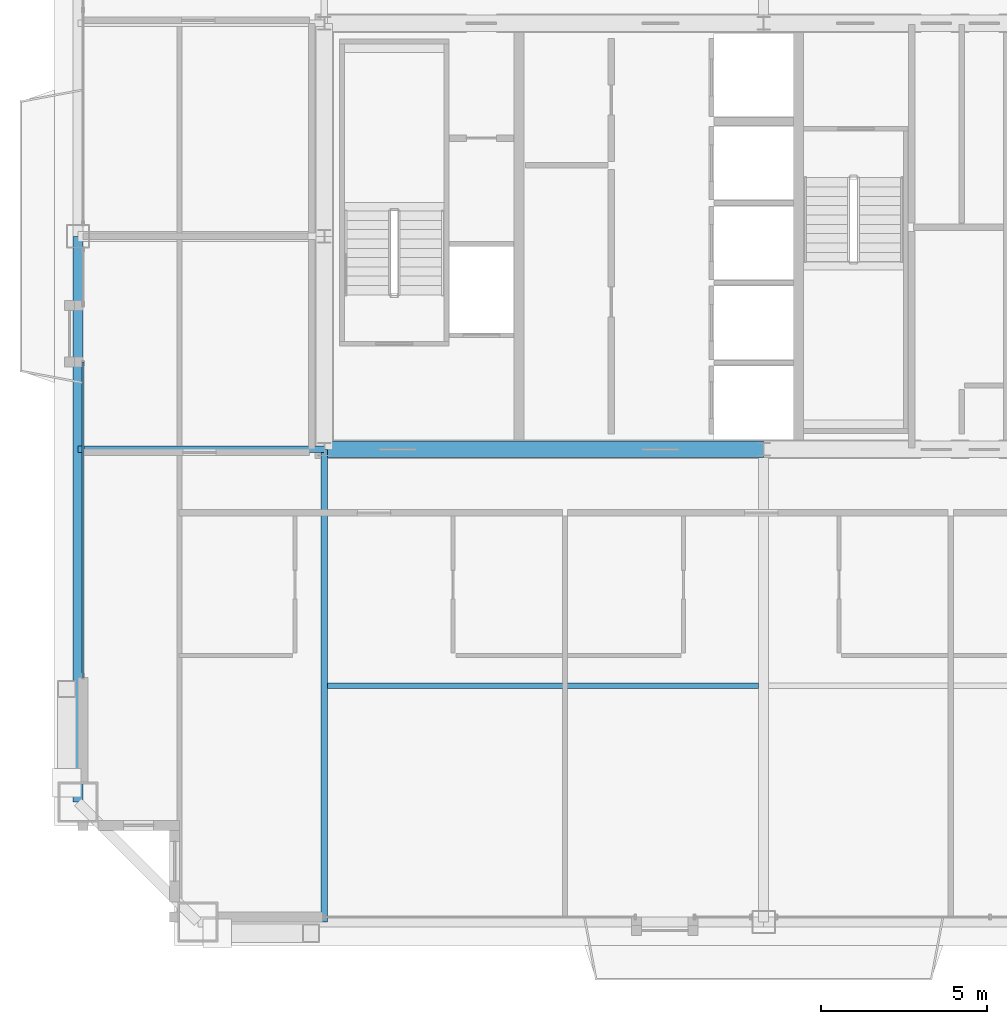
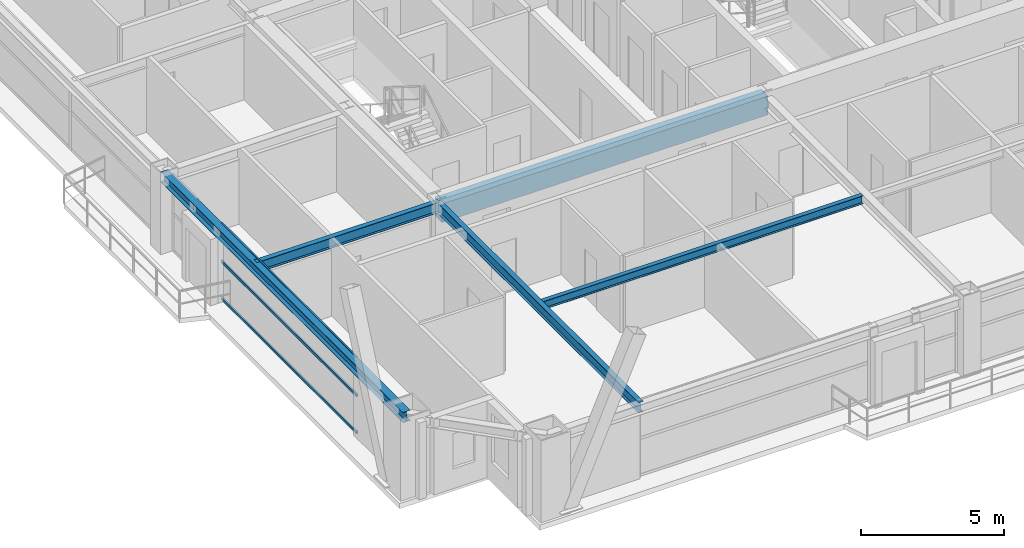
# One storey, part 6 of 33: 5 beams, 3 members, 1 element without a shape of its own.
"""IFC4 building model written with IfcOpenShell, lengths in metres."""

from ifc_helpers import new_model, si_unit, direction, frame, origin, origin_2d, place, context, subcontext, project, spatial, rectangle, hollow_rectangle, i_section, extrude, source, transform, mapped, material, layer, layer_set, material_profile, profile_set, type_object, element, aggregate, save


model = new_model("IFC4")

# Units and contexts
model_context = context("Model", 3, precision=1e-05, world=origin(), true_north=direction((0.0, 1.0)))
body_context = subcontext(model_context, "Body", "Model", "MODEL_VIEW")
ifc_project = project(units=[si_unit("LENGTHUNIT", "METRE"), si_unit("AREAUNIT", "SQUARE_METRE"), si_unit("VOLUMEUNIT", "CUBIC_METRE"), si_unit("PLANEANGLEUNIT", "RADIAN"), si_unit("MASSUNIT", "GRAM", prefix="KILO"), si_unit("THERMODYNAMICTEMPERATUREUNIT", "KELVIN"), si_unit("POWERUNIT", "WATT")], contexts=[model_context])

# Site, building, storey
site_placement = place(None, origin())
site = spatial("IfcSite", under=ifc_project, at=site_placement, CompositionType="ELEMENT")
building_placement = place(site_placement, origin())
building = spatial("IfcBuilding", under=site, at=building_placement, Name="Yuzanri Waterfront Tower", CompositionType="ELEMENT")
storey_placement = place(building_placement, frame((0.0, 0.0, 234.60009765625)))
storey = spatial("IfcBuildingStorey", under=building, at=storey_placement, Name="L62", CompositionType="ELEMENT", Elevation=234.60009765625)

# Beams
ifc_material_1 = material(Name="Concrete C50", Category="concrete")
ifc_material_profile_1 = material_profile(ifc_material_1, rectangle(XDim=0.5, YDim=0.800048828125, at=origin_2d()), Name="RC 500x800")
ifc_profile_set_1 = profile_set([ifc_material_profile_1], Name="Concrete C50")
beam_type_1 = type_object("IfcBeamType", Name="Core Coupling Lintel Concrete C50 500x800", PredefinedType="LINTEL", material=ifc_profile_set_1)
shared_shape_1 = source(origin(), body_context, "Body", "SweptSolid", [
    extrude(rectangle(XDim=0.5, YDim=0.800048828125, at=origin_2d()), origin(), (0.0, 0.0, 1.0), 13.199951171875),
])
beam_1_placement = place(storey_placement, frame((23.800048828125, 19.39990234375, 2.8798828125), z_axis=(1.0, 0.0, 0.0), x_axis=(0.0, 1.0, 0.0)))
element("IfcBeam", 1, at=beam_1_placement, inside=storey, type_object=beam_type_1, Name="L62 Core Tie Beam CS1", PredefinedType="LINTEL", context=body_context, shape_type="MappedRepresentation", body=[
    mapped(shared_shape_1, transform((0.0, 0.0, 0.0), scale=1.0)),
])
ifc_material_2 = material(Name="Steel Q355B", Category="steel")
ifc_material_profile_2 = material_profile(ifc_material_2, i_section(OverallWidth=0.300048828125, OverallDepth=0.43994140625, WebThickness=0.010986328125, FlangeThickness=0.01806640625, at=origin_2d()), Name="HM 440x300x11x18")
ifc_profile_set_2 = profile_set([ifc_material_profile_2], Name="Steel Q355B")
beam_type_2 = type_object("IfcBeamType", Name="Perimeter Spandrel Q355B HM 440x300", PredefinedType="SPANDREL", material=ifc_profile_set_2)
shared_shape_2 = source(origin(), body_context, "Body", "SweptSolid", [
    extrude(i_section(OverallWidth=0.300048828125, OverallDepth=0.43994140625, WebThickness=0.010986328125, FlangeThickness=0.01806640625, at=origin_2d()), origin(), (0.0, 0.0, 1.0), 17.0),
])
beam_2_placement = place(storey_placement, frame((16.39990234375, 25.800048828125, 3.059814453125), z_axis=(0.0, -1.0, 0.0), x_axis=(1.0, 0.0, 0.0)))
element("IfcBeam", 2, at=beam_2_placement, inside=storey, type_object=beam_type_2, Name="L62 Perimeter Spandrel W2-W1", PredefinedType="SPANDREL", context=body_context, shape_type="MappedRepresentation", body=[
    mapped(shared_shape_2, transform((0.0, 0.0, 0.0), scale=1.0)),
])
ifc_material_3 = material(Name="Steel Q355B", Category="steel")
ifc_material_profile_3 = material_profile(ifc_material_3, i_section(OverallWidth=0.199951171875, OverallDepth=0.449951171875, WebThickness=0.009033203125, FlangeThickness=0.013916015625, at=origin_2d()), Name="HN 450x200x9x14")
ifc_profile_set_3 = profile_set([ifc_material_profile_3], Name="Steel Q355B")
beam_type_3 = type_object("IfcBeamType", Name="Secondary Floor Beam Q355B HN 450x200", PredefinedType="BEAM", material=ifc_profile_set_3)
shared_shape_3 = source(origin(), body_context, "Body", "SweptSolid", [
    extrude(i_section(OverallWidth=0.199951171875, OverallDepth=0.449951171875, WebThickness=0.009033203125, FlangeThickness=0.013916015625, at=origin_2d()), origin(), (0.0, 0.0, 1.0), 14.199951171875),
])
beam_3_placement = place(storey_placement, frame((23.800048828125, 19.39990234375, 3.054931640625), z_axis=(0.0, -1.0, 0.0), x_axis=(1.0, 0.0, 0.0)))
element("IfcBeam", 3, at=beam_3_placement, inside=storey, type_object=beam_type_3, Name="L62 South-West Core Line Beam", PredefinedType="BEAM", context=body_context, shape_type="MappedRepresentation", body=[
    mapped(shared_shape_3, transform((0.0, 0.0, 0.0), scale=1.0)),
])
shared_shape_4 = source(origin(), body_context, "Body", "SweptSolid", [
    extrude(i_section(OverallWidth=0.199951171875, OverallDepth=0.449951171875, WebThickness=0.009033203125, FlangeThickness=0.013916015625, at=origin_2d()), origin(), (0.0, 0.0, 1.0), 7.400146484375),
])
beam_4_placement = place(storey_placement, frame((23.800048828125, 19.39990234375, 3.054931640625), z_axis=(-1.0, 0.0, 0.0), x_axis=(0.0, -1.0, 0.0)))
element("IfcBeam", 4, at=beam_4_placement, inside=storey, type_object=beam_type_3, Name="L62 West-South Core Line Beam", PredefinedType="BEAM", context=body_context, shape_type="MappedRepresentation", body=[
    mapped(shared_shape_4, transform((0.0, 0.0, 0.0), scale=1.0)),
])
ifc_material_4 = material(Name="Steel Q355B", Category="steel")
ifc_material_profile_4 = material_profile(ifc_material_4, i_section(OverallWidth=0.175048828125, OverallDepth=0.35009765625, WebThickness=0.007080078125, FlangeThickness=0.010986328125, at=origin_2d()), Name="HN 350x175x7x11")
ifc_profile_set_4 = profile_set([ifc_material_profile_4], Name="Steel Q355B")
beam_type_4 = type_object("IfcBeamType", Name="Floor Joist Q355B HN 350x175", PredefinedType="JOIST", material=ifc_profile_set_4)
shared_shape_5 = source(origin(), body_context, "Body", "SweptSolid", [
    extrude(i_section(OverallWidth=0.175048828125, OverallDepth=0.35009765625, WebThickness=0.007080078125, FlangeThickness=0.010986328125, at=origin_2d()), origin(), (0.0, 0.0, 1.0), 12.9501953125),
])
beam_5_placement = place(storey_placement, frame((23.89990234375, 12.300048828125, 3.10498046875), z_axis=(1.0, 0.0, 0.0), x_axis=(0.0, 1.0, 0.0)))
element("IfcBeam", 5, at=beam_5_placement, inside=storey, type_object=beam_type_4, Name="L62 South Bay Joist W", PredefinedType="JOIST", context=body_context, shape_type="MappedRepresentation", body=[
    mapped(shared_shape_5, transform((0.0, 0.0, 0.0), scale=1.0)),
])

# Curtain wall, members
ifc_material_5 = material(Name="Anodized Architectural Bronze", Category="metal")
ifc_layer = layer(ifc_material_5, 0.159912109375)
ifc_layer_set = layer_set([ifc_layer], Name="Anodized Architectural Bronze")
curtain_wall_type = type_object("IfcCurtainWallType", Name="Anodized Bronze Mid-Rise Residential Acoustic Unitized Curtain Wall 7200", PredefinedType="NOTDEFINED", material=ifc_layer_set)
curtain_wall_placement = place(storey_placement, origin())
curtain_wall = element("IfcCurtainWall", 6, at=curtain_wall_placement, inside=storey, type_object=curtain_wall_type, Name="L62 Curtain Wall CW-L62-WL1", PredefinedType="NOTDEFINED")
ifc_material_6 = material(Name="Anodized Architectural Bronze", Category="metal")
ifc_material_profile_5 = material_profile(ifc_material_6, hollow_rectangle(XDim=0.06494140625, YDim=0.1201171875, WallThickness=0.00341796875, at=origin_2d()), Name="CWT 65x120")
ifc_profile_set_5 = profile_set([ifc_material_profile_5], Name="Anodized Architectural Bronze")
member_type = type_object("IfcMemberType", Name="Anodized Bronze Secondary Curtain-Wall Transom 65x120", PredefinedType="USERDEFINED", material=ifc_profile_set_5)
shared_shape_6 = source(origin(), body_context, "Body", "SweptSolid", [
    extrude(hollow_rectangle(XDim=0.06494140625, YDim=0.1201171875, WallThickness=0.00341796875, at=origin_2d()), origin(), (0.0, 0.0, 1.0), 9.474853515625),
])
member_1_placement = place(storey_placement, frame((16.550048828125, 12.550048828125, 0.0498046875), z_axis=(0.0, 1.0, 0.0), x_axis=(-1.0, 0.0, 0.0)))
member_1 = element("IfcMember", 7, at=member_1_placement, type_object=member_type, Name="CW-L62-WL1 Transom 1", ObjectType="TRANSOM", PredefinedType="USERDEFINED", context=body_context, shape_type="MappedRepresentation", body=[
    mapped(shared_shape_6, transform((0.0, 0.0, 0.0), scale=1.0)),
])
member_2_placement = place(storey_placement, frame((16.550048828125, 12.550048828125, 1.639892578125), z_axis=(0.0, 1.0, 0.0), x_axis=(-1.0, 0.0, 0.0)))
member_2 = element("IfcMember", 8, at=member_2_placement, type_object=member_type, Name="CW-L62-WL1 Transom 2", ObjectType="TRANSOM", PredefinedType="USERDEFINED", context=body_context, shape_type="MappedRepresentation", body=[
    mapped(shared_shape_6, transform((0.0, 0.0, 0.0), scale=1.0)),
])
member_3_placement = place(storey_placement, frame((16.550048828125, 12.550048828125, 3.22998046875), z_axis=(0.0, 1.0, 0.0), x_axis=(-1.0, 0.0, 0.0)))
member_3 = element("IfcMember", 9, at=member_3_placement, type_object=member_type, Name="CW-L62-WL1 Transom 3", ObjectType="TRANSOM", PredefinedType="USERDEFINED", context=body_context, shape_type="MappedRepresentation", body=[
    mapped(shared_shape_6, transform((0.0, 0.0, 0.0), scale=1.0)),
])
aggregate(curtain_wall, [member_1, member_2, member_3])

save(model, "model.ifc")
